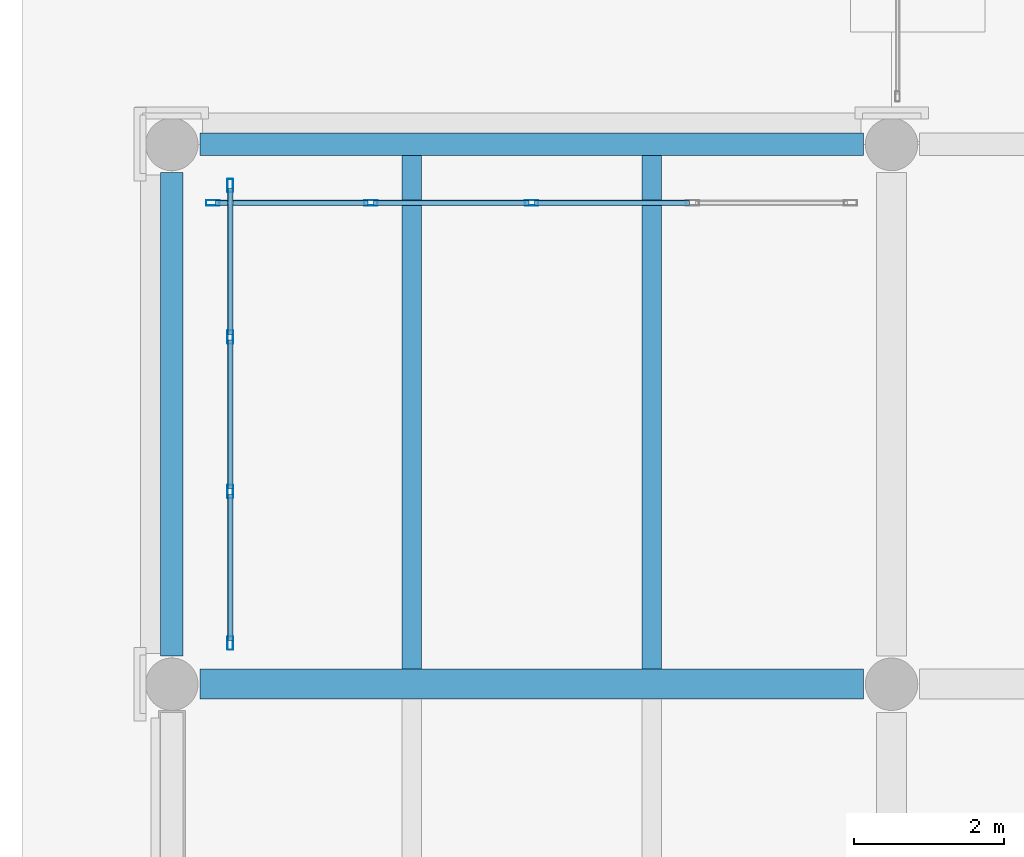
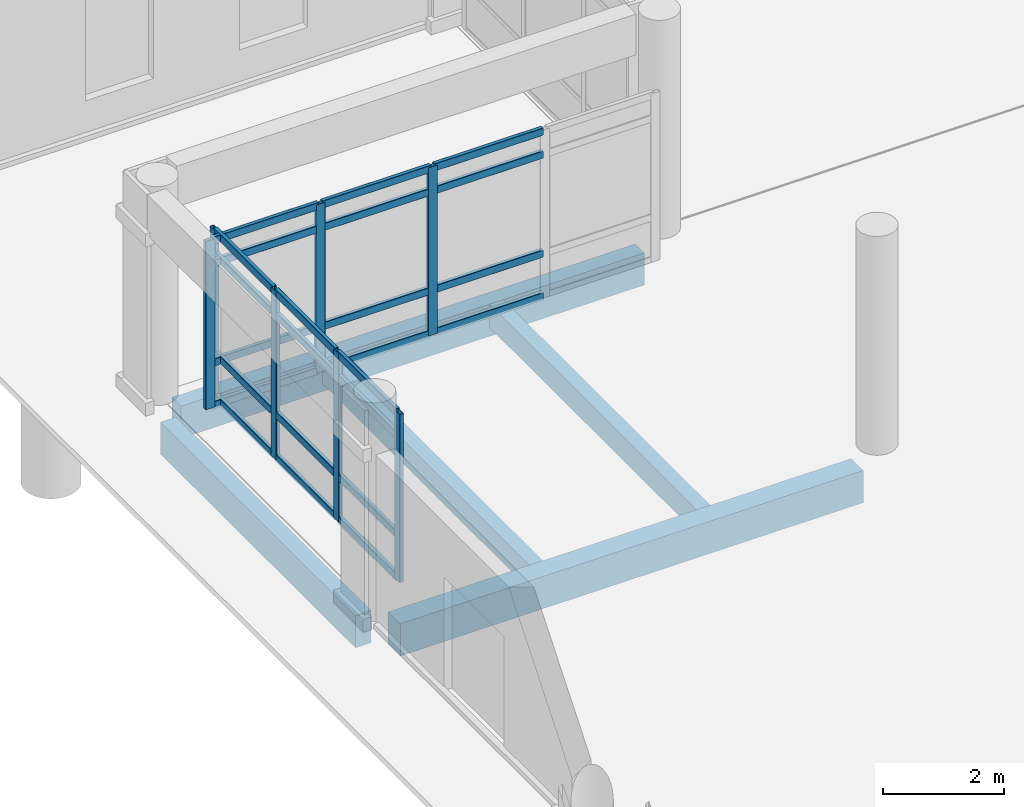
# One storey, part 54 of 196: 31 members, 5 beams, 2 elements without a shape of their own.
"""IFC4 building model written with IfcOpenShell, lengths in metres."""

from ifc_helpers import new_model, si_unit, direction, frame, origin, origin_2d, place, context, subcontext, project, spatial, rectangle, hollow_rectangle, extrude, material, layer, layer_set, material_profile, profile_set, type_object, element, aggregate, save


model = new_model("IFC4")

# Units and contexts
model_context = context("Model", 3, precision=1e-05, world=origin(), true_north=direction((0.0, 1.0)))
body_context = subcontext(model_context, "Body", "Model", "MODEL_VIEW")
ifc_project = project(units=[si_unit("LENGTHUNIT", "METRE"), si_unit("AREAUNIT", "SQUARE_METRE"), si_unit("VOLUMEUNIT", "CUBIC_METRE"), si_unit("PLANEANGLEUNIT", "RADIAN"), si_unit("MASSUNIT", "GRAM", prefix="KILO")], contexts=[model_context])

# Site, building, storey
site_placement = place(None, origin())
site = spatial("IfcSite", under=ifc_project, at=site_placement, CompositionType="ELEMENT")
building_placement = place(site_placement, origin())
building = spatial("IfcBuilding", under=site, at=building_placement, Name="Asteropetra Specialist Clinic", CompositionType="ELEMENT")
storey_placement = place(building_placement, origin())
storey = spatial("IfcBuildingStorey", under=building, at=storey_placement, Name="L00", CompositionType="ELEMENT", Elevation=0.0)

# Beam
ifc_material_1 = material(Name="Concrete C35/45", Category="concrete")
ifc_material_profile_1 = material_profile(ifc_material_1, rectangle(XDim=0.39990234375, YDim=0.64990234375, at=origin_2d()), Name="RCB 400x650")
ifc_profile_set_1 = profile_set([ifc_material_profile_1], Name="Concrete C35/45")
beam_type_1 = type_object("IfcBeamType", Name="BM-RC400x650", PredefinedType="BEAM", material=ifc_profile_set_1)
beam_1_placement = place(storey_placement, frame((0.375, 55.199951171875, -0.625), z_axis=(1.0, 0.0, 0.0), x_axis=(0.0, 1.0, 0.0)))
element("IfcBeam", 1, at=beam_1_placement, inside=storey, type_object=beam_type_1, Name="Beam BBM07-0148", PredefinedType="BEAM", context=body_context, shape_type="SweptSolid", body=[
    extrude(rectangle(XDim=0.39990234375, YDim=0.64990234375, at=origin_2d()), origin(), (0.0, 0.0, 1.0), 8.85009765625),
])

# Curtain wall, members
ifc_material_2 = material(Name="Aluminium and low-E glass", Category="aluminium")
ifc_layer_1 = layer(ifc_material_2, 0.135009765625)
ifc_layer_set_1 = layer_set([ifc_layer_1], Name="Aluminium and low-E glass")
curtain_wall_type_1 = type_object("IfcCurtainWallType", Name="CW-SYS-09", PredefinedType="USERDEFINED", material=ifc_layer_set_1)
curtain_wall_1_placement = place(storey_placement, origin())
curtain_wall_1 = element("IfcCurtainWall", 2, at=curtain_wall_1_placement, inside=storey, type_object=curtain_wall_type_1, Name="Curtain Wall CW-147", ObjectType="STICK GLAZED COLONNADE", PredefinedType="USERDEFINED")
ifc_material_3 = material(Name="Aluminium 6063-T6", Category="aluminium")
ifc_material_profile_2 = material_profile(ifc_material_3, hollow_rectangle(XDim=0.074951171875, YDim=0.179931640625, WallThickness=0.00390625, InnerFilletRadius=0.00390625, OuterFilletRadius=0.008056640625, at=origin_2d()), Name="MUL 180x75x4.0")
ifc_profile_set_2 = profile_set([ifc_material_profile_2], Name="Aluminium 6063-T6")
member_type_1 = type_object("IfcMemberType", Name="CWM-180x75", PredefinedType="MULLION", material=ifc_profile_set_2)
member_1_placement = place(storey_placement, frame((4.800048828125, 61.6201171875, 0.0), z_axis=(0.0, 0.0, 1.0), x_axis=(0.0, -1.0, 0.0)))
member_1 = element("IfcMember", 3, at=member_1_placement, type_object=member_type_1, Name="CW-147 mullion 3", PredefinedType="MULLION", context=body_context, shape_type="SweptSolid", body=[
    extrude(hollow_rectangle(XDim=0.074951171875, YDim=0.179931640625, WallThickness=0.00390625, InnerFilletRadius=0.00390625, OuterFilletRadius=0.008056640625, at=origin_2d()), origin(), (0.0, 0.0, 1.0), 3.39990234375),
])
member_2_placement = place(storey_placement, frame((2.655029296875, 61.6201171875, 0.0), z_axis=(0.0, 0.0, 1.0), x_axis=(0.0, -1.0, 0.0)))
member_2 = element("IfcMember", 4, at=member_2_placement, type_object=member_type_1, Name="CW-147 mullion 4", PredefinedType="MULLION", context=body_context, shape_type="SweptSolid", body=[
    extrude(hollow_rectangle(XDim=0.074951171875, YDim=0.179931640625, WallThickness=0.00390625, InnerFilletRadius=0.00390625, OuterFilletRadius=0.008056640625, at=origin_2d()), origin(), (0.0, 0.0, 1.0), 3.39990234375),
])
member_3_placement = place(storey_placement, frame((0.547607421875, 61.6201171875, 0.0), z_axis=(0.0, 0.0, 1.0), x_axis=(0.0, -1.0, 0.0)))
member_3 = element("IfcMember", 5, at=member_3_placement, type_object=member_type_1, Name="CW-147 mullion 5", PredefinedType="MULLION", context=body_context, shape_type="SweptSolid", body=[
    extrude(hollow_rectangle(XDim=0.074951171875, YDim=0.179931640625, WallThickness=0.00390625, InnerFilletRadius=0.00390625, OuterFilletRadius=0.008056640625, at=origin_2d()), origin(), (0.0, 0.0, 1.0), 3.39990234375),
])

ifc_material_4 = material(Name="Aluminium and low-E glass", Category="aluminium")
ifc_layer_2 = layer(ifc_material_4, 0.179931640625)
ifc_layer_set_2 = layer_set([ifc_layer_2], Name="Aluminium and low-E glass")
curtain_wall_type_2 = type_object("IfcCurtainWallType", Name="CW-SYS-01", PredefinedType="USERDEFINED", material=ifc_layer_set_2)
curtain_wall_2_placement = place(storey_placement, origin())
curtain_wall_2 = element("IfcCurtainWall", 6, at=curtain_wall_2_placement, inside=storey, type_object=curtain_wall_type_2, Name="Curtain Wall CW-153", ObjectType="UNITISED CURTAIN WALL", PredefinedType="USERDEFINED")
member_4_placement = place(storey_placement, frame((0.780029296875, 61.8525390625, 0.0), z_axis=(0.0, 0.0, 1.0), x_axis=(1.0, 0.0, 0.0)))
member_4 = element("IfcMember", 7, at=member_4_placement, type_object=member_type_1, Name="CW-153 mullion 1", PredefinedType="MULLION", context=body_context, shape_type="SweptSolid", body=[
    extrude(hollow_rectangle(XDim=0.074951171875, YDim=0.179931640625, WallThickness=0.00390625, InnerFilletRadius=0.00390625, OuterFilletRadius=0.008056640625, at=origin_2d()), origin(), (0.0, 0.0, 1.0), 3.39990234375),
])
member_5_placement = place(storey_placement, frame((0.780029296875, 59.830078125, 0.0), z_axis=(0.0, 0.0, 1.0), x_axis=(1.0, 0.0, 0.0)))
member_5 = element("IfcMember", 8, at=member_5_placement, type_object=member_type_1, Name="CW-153 mullion 2", PredefinedType="MULLION", context=body_context, shape_type="SweptSolid", body=[
    extrude(hollow_rectangle(XDim=0.074951171875, YDim=0.179931640625, WallThickness=0.00390625, InnerFilletRadius=0.00390625, OuterFilletRadius=0.008056640625, at=origin_2d()), origin(), (0.0, 0.0, 1.0), 3.39990234375),
])
member_6_placement = place(storey_placement, frame((0.780029296875, 57.77001953125, 0.0), z_axis=(0.0, 0.0, 1.0), x_axis=(1.0, 0.0, 0.0)))
member_6 = element("IfcMember", 9, at=member_6_placement, type_object=member_type_1, Name="CW-153 mullion 3", PredefinedType="MULLION", context=body_context, shape_type="SweptSolid", body=[
    extrude(hollow_rectangle(XDim=0.074951171875, YDim=0.179931640625, WallThickness=0.00390625, InnerFilletRadius=0.00390625, OuterFilletRadius=0.008056640625, at=origin_2d()), origin(), (0.0, 0.0, 1.0), 3.39990234375),
])
member_7_placement = place(storey_placement, frame((0.780029296875, 55.74755859375, 0.0), z_axis=(0.0, 0.0, 1.0), x_axis=(1.0, 0.0, 0.0)))
member_7 = element("IfcMember", 10, at=member_7_placement, type_object=member_type_1, Name="CW-153 mullion 4", PredefinedType="MULLION", context=body_context, shape_type="SweptSolid", body=[
    extrude(hollow_rectangle(XDim=0.074951171875, YDim=0.179931640625, WallThickness=0.00390625, InnerFilletRadius=0.00390625, OuterFilletRadius=0.008056640625, at=origin_2d()), origin(), (0.0, 0.0, 1.0), 3.39990234375),
])

# Member
ifc_material_5 = material(Name="Aluminium 6063-T6", Category="aluminium")
ifc_material_profile_3 = material_profile(ifc_material_5, hollow_rectangle(XDim=0.074951171875, YDim=0.14990234375, WallThickness=0.00390625, InnerFilletRadius=0.00390625, OuterFilletRadius=0.008056640625, at=origin_2d()), Name="TRN 150x75x4.0")
ifc_profile_set_3 = profile_set([ifc_material_profile_3], Name="Aluminium 6063-T6")
member_type_2 = type_object("IfcMemberType", Name="CWT-150x75", PredefinedType="USERDEFINED", material=ifc_profile_set_3)
member_8_placement = place(storey_placement, frame((6.907470703125, 61.6201171875, 0.03759765625), z_axis=(-1.0, 0.0, 0.0), x_axis=(0.0, -1.0, 0.0)))
member_8 = element("IfcMember", 11, at=member_8_placement, type_object=member_type_2, Name="CW-147 transom 2.1", ObjectType="TRANSOM", PredefinedType="USERDEFINED", context=body_context, shape_type="SweptSolid", body=[
    extrude(hollow_rectangle(XDim=0.074951171875, YDim=0.14990234375, WallThickness=0.00390625, InnerFilletRadius=0.00390625, OuterFilletRadius=0.008056640625, at=origin_2d()), origin(), (0.0, 0.0, 1.0), 2.070068359375),
])

member_9_placement = place(storey_placement, frame((6.907470703125, 61.6201171875, 0.89990234375), z_axis=(-1.0, 0.0, 0.0), x_axis=(0.0, -1.0, 0.0)))
member_9 = element("IfcMember", 12, at=member_9_placement, type_object=member_type_2, Name="CW-147 transom 2.2", ObjectType="TRANSOM", PredefinedType="USERDEFINED", context=body_context, shape_type="SweptSolid", body=[
    extrude(hollow_rectangle(XDim=0.074951171875, YDim=0.14990234375, WallThickness=0.00390625, InnerFilletRadius=0.00390625, OuterFilletRadius=0.008056640625, at=origin_2d()), origin(), (0.0, 0.0, 1.0), 2.070068359375),
])

member_10_placement = place(storey_placement, frame((6.907470703125, 61.6201171875, 2.89990234375), z_axis=(-1.0, 0.0, 0.0), x_axis=(0.0, -1.0, 0.0)))
member_10 = element("IfcMember", 13, at=member_10_placement, type_object=member_type_2, Name="CW-147 transom 2.3", ObjectType="TRANSOM", PredefinedType="USERDEFINED", context=body_context, shape_type="SweptSolid", body=[
    extrude(hollow_rectangle(XDim=0.074951171875, YDim=0.14990234375, WallThickness=0.00390625, InnerFilletRadius=0.00390625, OuterFilletRadius=0.008056640625, at=origin_2d()), origin(), (0.0, 0.0, 1.0), 2.070068359375),
])

member_11_placement = place(storey_placement, frame((6.907470703125, 61.6201171875, 3.362548828125), z_axis=(-1.0, 0.0, 0.0), x_axis=(0.0, -1.0, 0.0)))
member_11 = element("IfcMember", 14, at=member_11_placement, type_object=member_type_2, Name="CW-147 transom 2.4", ObjectType="TRANSOM", PredefinedType="USERDEFINED", context=body_context, shape_type="SweptSolid", body=[
    extrude(hollow_rectangle(XDim=0.074951171875, YDim=0.14990234375, WallThickness=0.00390625, InnerFilletRadius=0.00390625, OuterFilletRadius=0.008056640625, at=origin_2d()), origin(), (0.0, 0.0, 1.0), 2.070068359375),
])

member_12_placement = place(storey_placement, frame((4.762451171875, 61.6201171875, 0.03759765625), z_axis=(-1.0, 0.0, 0.0), x_axis=(0.0, -1.0, 0.0)))
member_12 = element("IfcMember", 15, at=member_12_placement, type_object=member_type_2, Name="CW-147 transom 3.1", ObjectType="TRANSOM", PredefinedType="USERDEFINED", context=body_context, shape_type="SweptSolid", body=[
    extrude(hollow_rectangle(XDim=0.074951171875, YDim=0.14990234375, WallThickness=0.00390625, InnerFilletRadius=0.00390625, OuterFilletRadius=0.008056640625, at=origin_2d()), origin(), (0.0, 0.0, 1.0), 2.070068359375),
])

member_13_placement = place(storey_placement, frame((4.762451171875, 61.6201171875, 0.89990234375), z_axis=(-1.0, 0.0, 0.0), x_axis=(0.0, -1.0, 0.0)))
member_13 = element("IfcMember", 16, at=member_13_placement, type_object=member_type_2, Name="CW-147 transom 3.2", ObjectType="TRANSOM", PredefinedType="USERDEFINED", context=body_context, shape_type="SweptSolid", body=[
    extrude(hollow_rectangle(XDim=0.074951171875, YDim=0.14990234375, WallThickness=0.00390625, InnerFilletRadius=0.00390625, OuterFilletRadius=0.008056640625, at=origin_2d()), origin(), (0.0, 0.0, 1.0), 2.070068359375),
])

member_14_placement = place(storey_placement, frame((4.762451171875, 61.6201171875, 2.89990234375), z_axis=(-1.0, 0.0, 0.0), x_axis=(0.0, -1.0, 0.0)))
member_14 = element("IfcMember", 17, at=member_14_placement, type_object=member_type_2, Name="CW-147 transom 3.3", ObjectType="TRANSOM", PredefinedType="USERDEFINED", context=body_context, shape_type="SweptSolid", body=[
    extrude(hollow_rectangle(XDim=0.074951171875, YDim=0.14990234375, WallThickness=0.00390625, InnerFilletRadius=0.00390625, OuterFilletRadius=0.008056640625, at=origin_2d()), origin(), (0.0, 0.0, 1.0), 2.070068359375),
])

member_15_placement = place(storey_placement, frame((4.762451171875, 61.6201171875, 3.362548828125), z_axis=(-1.0, 0.0, 0.0), x_axis=(0.0, -1.0, 0.0)))
member_15 = element("IfcMember", 18, at=member_15_placement, type_object=member_type_2, Name="CW-147 transom 3.4", ObjectType="TRANSOM", PredefinedType="USERDEFINED", context=body_context, shape_type="SweptSolid", body=[
    extrude(hollow_rectangle(XDim=0.074951171875, YDim=0.14990234375, WallThickness=0.00390625, InnerFilletRadius=0.00390625, OuterFilletRadius=0.008056640625, at=origin_2d()), origin(), (0.0, 0.0, 1.0), 2.070068359375),
])

member_16_placement = place(storey_placement, frame((2.617431640625, 61.6201171875, 0.03759765625), z_axis=(-1.0, 0.0, 0.0), x_axis=(0.0, -1.0, 0.0)))
member_16 = element("IfcMember", 19, at=member_16_placement, type_object=member_type_2, Name="CW-147 transom 4.1", ObjectType="TRANSOM", PredefinedType="USERDEFINED", context=body_context, shape_type="SweptSolid", body=[
    extrude(hollow_rectangle(XDim=0.074951171875, YDim=0.14990234375, WallThickness=0.00390625, InnerFilletRadius=0.00390625, OuterFilletRadius=0.008056640625, at=origin_2d()), origin(), (0.0, 0.0, 1.0), 2.032470703125),
])

member_17_placement = place(storey_placement, frame((2.617431640625, 61.6201171875, 0.89990234375), z_axis=(-1.0, 0.0, 0.0), x_axis=(0.0, -1.0, 0.0)))
member_17 = element("IfcMember", 20, at=member_17_placement, type_object=member_type_2, Name="CW-147 transom 4.2", ObjectType="TRANSOM", PredefinedType="USERDEFINED", context=body_context, shape_type="SweptSolid", body=[
    extrude(hollow_rectangle(XDim=0.074951171875, YDim=0.14990234375, WallThickness=0.00390625, InnerFilletRadius=0.00390625, OuterFilletRadius=0.008056640625, at=origin_2d()), origin(), (0.0, 0.0, 1.0), 2.032470703125),
])

member_18_placement = place(storey_placement, frame((2.617431640625, 61.6201171875, 2.89990234375), z_axis=(-1.0, 0.0, 0.0), x_axis=(0.0, -1.0, 0.0)))
member_18 = element("IfcMember", 21, at=member_18_placement, type_object=member_type_2, Name="CW-147 transom 4.3", ObjectType="TRANSOM", PredefinedType="USERDEFINED", context=body_context, shape_type="SweptSolid", body=[
    extrude(hollow_rectangle(XDim=0.074951171875, YDim=0.14990234375, WallThickness=0.00390625, InnerFilletRadius=0.00390625, OuterFilletRadius=0.008056640625, at=origin_2d()), origin(), (0.0, 0.0, 1.0), 2.032470703125),
])

member_19_placement = place(storey_placement, frame((2.617431640625, 61.6201171875, 3.362548828125), z_axis=(-1.0, 0.0, 0.0), x_axis=(0.0, -1.0, 0.0)))
member_19 = element("IfcMember", 22, at=member_19_placement, type_object=member_type_2, Name="CW-147 transom 4.4", ObjectType="TRANSOM", PredefinedType="USERDEFINED", context=body_context, shape_type="SweptSolid", body=[
    extrude(hollow_rectangle(XDim=0.074951171875, YDim=0.14990234375, WallThickness=0.00390625, InnerFilletRadius=0.00390625, OuterFilletRadius=0.008056640625, at=origin_2d()), origin(), (0.0, 0.0, 1.0), 2.032470703125),
])

aggregate(curtain_wall_1, [member_1, member_2, member_3, member_8, member_9, member_10, member_11, member_12, member_13, member_14, member_15, member_16, member_17, member_18, member_19])

member_20_placement = place(storey_placement, frame((0.780029296875, 61.81494140625, 0.03759765625), z_axis=(0.0, -1.0, 0.0), x_axis=(1.0, 0.0, 0.0)))
member_20 = element("IfcMember", 23, at=member_20_placement, type_object=member_type_2, Name="CW-153 transom 1.1", ObjectType="TRANSOM", PredefinedType="USERDEFINED", context=body_context, shape_type="SweptSolid", body=[
    extrude(hollow_rectangle(XDim=0.074951171875, YDim=0.14990234375, WallThickness=0.00390625, InnerFilletRadius=0.00390625, OuterFilletRadius=0.008056640625, at=origin_2d()), origin(), (0.0, 0.0, 1.0), 1.947509765625),
])

member_21_placement = place(storey_placement, frame((0.780029296875, 61.81494140625, 0.89990234375), z_axis=(0.0, -1.0, 0.0), x_axis=(1.0, 0.0, 0.0)))
member_21 = element("IfcMember", 24, at=member_21_placement, type_object=member_type_2, Name="CW-153 transom 1.2", ObjectType="TRANSOM", PredefinedType="USERDEFINED", context=body_context, shape_type="SweptSolid", body=[
    extrude(hollow_rectangle(XDim=0.074951171875, YDim=0.14990234375, WallThickness=0.00390625, InnerFilletRadius=0.00390625, OuterFilletRadius=0.008056640625, at=origin_2d()), origin(), (0.0, 0.0, 1.0), 1.947509765625),
])

member_22_placement = place(storey_placement, frame((0.780029296875, 61.81494140625, 2.89990234375), z_axis=(0.0, -1.0, 0.0), x_axis=(1.0, 0.0, 0.0)))
member_22 = element("IfcMember", 25, at=member_22_placement, type_object=member_type_2, Name="CW-153 transom 1.3", ObjectType="TRANSOM", PredefinedType="USERDEFINED", context=body_context, shape_type="SweptSolid", body=[
    extrude(hollow_rectangle(XDim=0.074951171875, YDim=0.14990234375, WallThickness=0.00390625, InnerFilletRadius=0.00390625, OuterFilletRadius=0.008056640625, at=origin_2d()), origin(), (0.0, 0.0, 1.0), 1.947509765625),
])

member_23_placement = place(storey_placement, frame((0.780029296875, 61.81494140625, 3.362548828125), z_axis=(0.0, -1.0, 0.0), x_axis=(1.0, 0.0, 0.0)))
member_23 = element("IfcMember", 26, at=member_23_placement, type_object=member_type_2, Name="CW-153 transom 1.4", ObjectType="TRANSOM", PredefinedType="USERDEFINED", context=body_context, shape_type="SweptSolid", body=[
    extrude(hollow_rectangle(XDim=0.074951171875, YDim=0.14990234375, WallThickness=0.00390625, InnerFilletRadius=0.00390625, OuterFilletRadius=0.008056640625, at=origin_2d()), origin(), (0.0, 0.0, 1.0), 1.947509765625),
])

member_24_placement = place(storey_placement, frame((0.780029296875, 59.79248046875, 0.03759765625), z_axis=(0.0, -1.0, 0.0), x_axis=(1.0, 0.0, 0.0)))
member_24 = element("IfcMember", 27, at=member_24_placement, type_object=member_type_2, Name="CW-153 transom 2.1", ObjectType="TRANSOM", PredefinedType="USERDEFINED", context=body_context, shape_type="SweptSolid", body=[
    extrude(hollow_rectangle(XDim=0.074951171875, YDim=0.14990234375, WallThickness=0.00390625, InnerFilletRadius=0.00390625, OuterFilletRadius=0.008056640625, at=origin_2d()), origin(), (0.0, 0.0, 1.0), 1.98486328125),
])

member_25_placement = place(storey_placement, frame((0.780029296875, 59.79248046875, 0.89990234375), z_axis=(0.0, -1.0, 0.0), x_axis=(1.0, 0.0, 0.0)))
member_25 = element("IfcMember", 28, at=member_25_placement, type_object=member_type_2, Name="CW-153 transom 2.2", ObjectType="TRANSOM", PredefinedType="USERDEFINED", context=body_context, shape_type="SweptSolid", body=[
    extrude(hollow_rectangle(XDim=0.074951171875, YDim=0.14990234375, WallThickness=0.00390625, InnerFilletRadius=0.00390625, OuterFilletRadius=0.008056640625, at=origin_2d()), origin(), (0.0, 0.0, 1.0), 1.98486328125),
])

member_26_placement = place(storey_placement, frame((0.780029296875, 59.79248046875, 2.89990234375), z_axis=(0.0, -1.0, 0.0), x_axis=(1.0, 0.0, 0.0)))
member_26 = element("IfcMember", 29, at=member_26_placement, type_object=member_type_2, Name="CW-153 transom 2.3", ObjectType="TRANSOM", PredefinedType="USERDEFINED", context=body_context, shape_type="SweptSolid", body=[
    extrude(hollow_rectangle(XDim=0.074951171875, YDim=0.14990234375, WallThickness=0.00390625, InnerFilletRadius=0.00390625, OuterFilletRadius=0.008056640625, at=origin_2d()), origin(), (0.0, 0.0, 1.0), 1.98486328125),
])

member_27_placement = place(storey_placement, frame((0.780029296875, 59.79248046875, 3.362548828125), z_axis=(0.0, -1.0, 0.0), x_axis=(1.0, 0.0, 0.0)))
member_27 = element("IfcMember", 30, at=member_27_placement, type_object=member_type_2, Name="CW-153 transom 2.4", ObjectType="TRANSOM", PredefinedType="USERDEFINED", context=body_context, shape_type="SweptSolid", body=[
    extrude(hollow_rectangle(XDim=0.074951171875, YDim=0.14990234375, WallThickness=0.00390625, InnerFilletRadius=0.00390625, OuterFilletRadius=0.008056640625, at=origin_2d()), origin(), (0.0, 0.0, 1.0), 1.98486328125),
])

member_28_placement = place(storey_placement, frame((0.780029296875, 57.732421875, 0.03759765625), z_axis=(0.0, -1.0, 0.0), x_axis=(1.0, 0.0, 0.0)))
member_28 = element("IfcMember", 31, at=member_28_placement, type_object=member_type_2, Name="CW-153 transom 3.1", ObjectType="TRANSOM", PredefinedType="USERDEFINED", context=body_context, shape_type="SweptSolid", body=[
    extrude(hollow_rectangle(XDim=0.074951171875, YDim=0.14990234375, WallThickness=0.00390625, InnerFilletRadius=0.00390625, OuterFilletRadius=0.008056640625, at=origin_2d()), origin(), (0.0, 0.0, 1.0), 1.947509765625),
])

member_29_placement = place(storey_placement, frame((0.780029296875, 57.732421875, 0.89990234375), z_axis=(0.0, -1.0, 0.0), x_axis=(1.0, 0.0, 0.0)))
member_29 = element("IfcMember", 32, at=member_29_placement, type_object=member_type_2, Name="CW-153 transom 3.2", ObjectType="TRANSOM", PredefinedType="USERDEFINED", context=body_context, shape_type="SweptSolid", body=[
    extrude(hollow_rectangle(XDim=0.074951171875, YDim=0.14990234375, WallThickness=0.00390625, InnerFilletRadius=0.00390625, OuterFilletRadius=0.008056640625, at=origin_2d()), origin(), (0.0, 0.0, 1.0), 1.947509765625),
])

member_30_placement = place(storey_placement, frame((0.780029296875, 57.732421875, 2.89990234375), z_axis=(0.0, -1.0, 0.0), x_axis=(1.0, 0.0, 0.0)))
member_30 = element("IfcMember", 33, at=member_30_placement, type_object=member_type_2, Name="CW-153 transom 3.3", ObjectType="TRANSOM", PredefinedType="USERDEFINED", context=body_context, shape_type="SweptSolid", body=[
    extrude(hollow_rectangle(XDim=0.074951171875, YDim=0.14990234375, WallThickness=0.00390625, InnerFilletRadius=0.00390625, OuterFilletRadius=0.008056640625, at=origin_2d()), origin(), (0.0, 0.0, 1.0), 1.947509765625),
])

member_31_placement = place(storey_placement, frame((0.780029296875, 57.732421875, 3.362548828125), z_axis=(0.0, -1.0, 0.0), x_axis=(1.0, 0.0, 0.0)))
member_31 = element("IfcMember", 34, at=member_31_placement, type_object=member_type_2, Name="CW-153 transom 3.4", ObjectType="TRANSOM", PredefinedType="USERDEFINED", context=body_context, shape_type="SweptSolid", body=[
    extrude(hollow_rectangle(XDim=0.074951171875, YDim=0.14990234375, WallThickness=0.00390625, InnerFilletRadius=0.00390625, OuterFilletRadius=0.008056640625, at=origin_2d()), origin(), (0.0, 0.0, 1.0), 1.947509765625),
])

aggregate(curtain_wall_2, [member_4, member_5, member_6, member_7, member_20, member_21, member_22, member_23, member_24, member_25, member_26, member_27, member_28, member_29, member_30, member_31])

# Beams
ifc_material_6 = material(Name="Concrete C35/45", Category="concrete")
ifc_material_profile_4 = material_profile(ifc_material_6, rectangle(XDim=0.260009765625, YDim=0.47998046875, at=origin_2d()), Name="RCJ 260x480")
ifc_profile_set_4 = profile_set([ifc_material_profile_4], Name="Concrete C35/45")
beam_type_2 = type_object("IfcBeamType", Name="JST-RC260x480", PredefinedType="JOIST", material=ifc_profile_set_4)
for number, where, z_axis, x_axis, name in (
    (35, (3.199951171875, 55.39990234375, -0.5400390625), (0.0, 1.0, 0.0), (-1.0, 0.0, 0.0), "Joist JJST02-0207"),
    (36, (6.39990234375, 55.39990234375, -0.5400390625), (0.0, 1.0, 0.0), (-1.0, 0.0, 0.0), "Joist JJST02-0208"),
):
    element("IfcBeam", number, at=place(storey_placement, frame(where, z_axis=z_axis, x_axis=x_axis)), inside=storey, type_object=beam_type_2, Name=name, PredefinedType="JOIST", context=body_context, shape_type="SweptSolid", body=[
        extrude(rectangle(XDim=0.260009765625, YDim=0.47998046875, at=origin_2d()), origin(), (0.0, 0.0, 1.0), 6.85009765625),
    ])
ifc_material_7 = material(Name="Concrete C35/45", Category="concrete")
ifc_material_profile_5 = material_profile(ifc_material_7, rectangle(XDim=0.300048828125, YDim=0.64990234375, at=origin_2d()), Name="RCS 300x650")
ifc_profile_set_5 = profile_set([ifc_material_profile_5], Name="Concrete C35/45")
beam_type_3 = type_object("IfcBeamType", Name="SPN-RC300x650", PredefinedType="SPANDREL", material=ifc_profile_set_5)
beam_2_placement = place(storey_placement, frame((0.375, 62.39990234375, -0.625), z_axis=(1.0, 0.0, 0.0), x_axis=(0.0, 1.0, 0.0)))
element("IfcBeam", 37, at=beam_2_placement, inside=storey, type_object=beam_type_3, Name="Beam BSPN03-0153", PredefinedType="SPANDREL", context=body_context, shape_type="SweptSolid", body=[
    extrude(rectangle(XDim=0.300048828125, YDim=0.64990234375, at=origin_2d()), origin(), (0.0, 0.0, 1.0), 8.85009765625),
])
beam_3_placement = place(storey_placement, frame((0.0, 55.574951171875, -0.625), z_axis=(0.0, 1.0, 0.0), x_axis=(-1.0, 0.0, 0.0)))
element("IfcBeam", 38, at=beam_3_placement, inside=storey, type_object=beam_type_3, Name="Beam BSPN03-0202", PredefinedType="SPANDREL", context=body_context, shape_type="SweptSolid", body=[
    extrude(rectangle(XDim=0.300048828125, YDim=0.64990234375, at=origin_2d()), origin(), (0.0, 0.0, 1.0), 6.449951171875),
])

save(model, "model.ifc")
